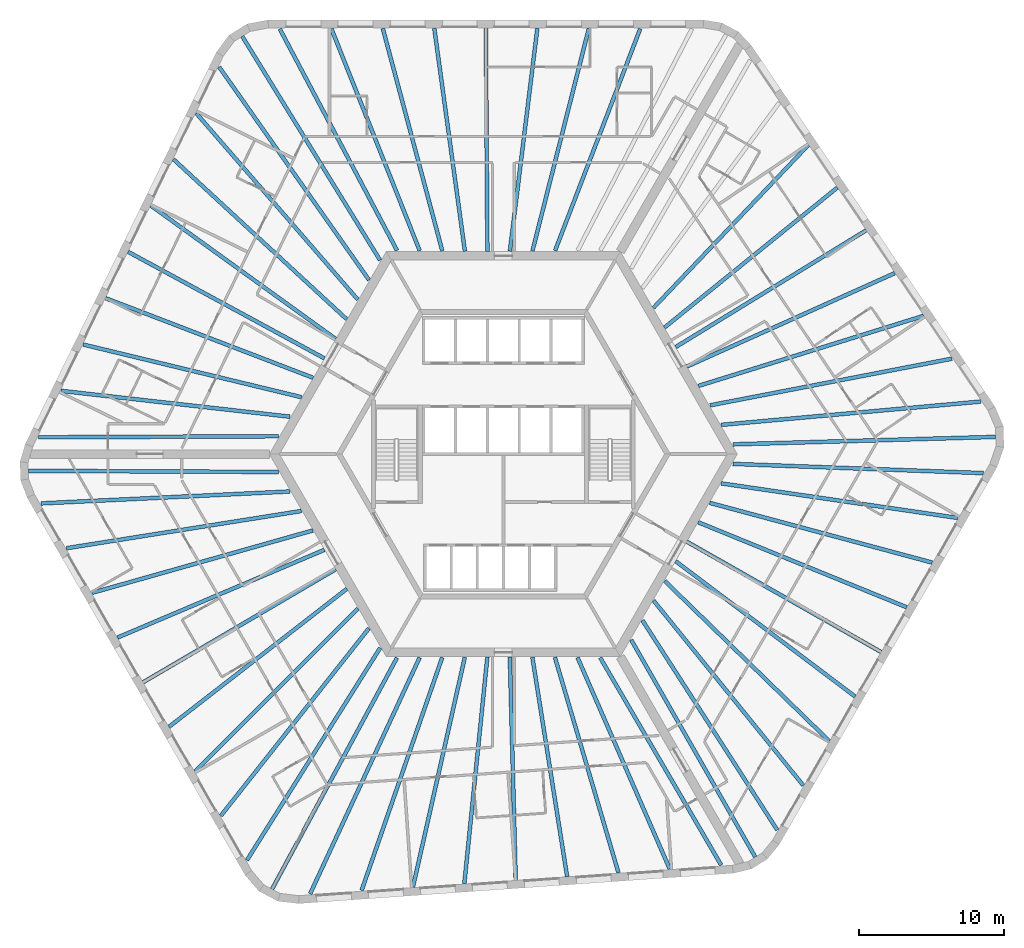
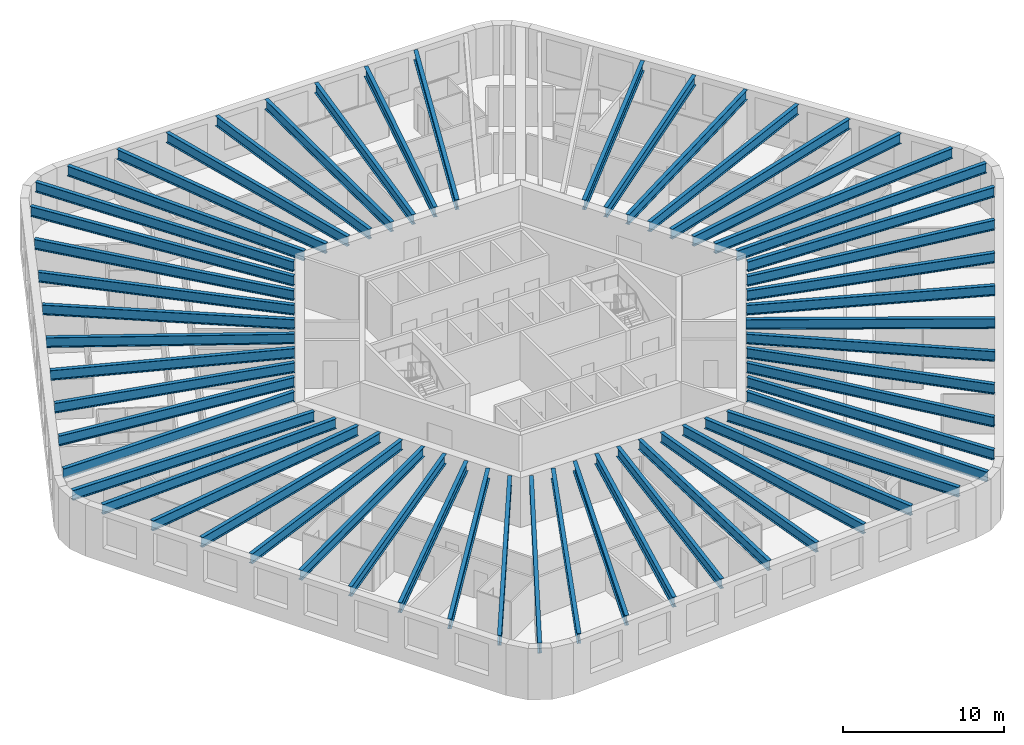
# One storey, part 1 of 12: 56 beams.
"""IFC4 building model written with IfcOpenShell, lengths in metres."""

from ifc_helpers import new_model, si_unit, direction, frame, origin, origin_2d, place, context, subcontext, project, spatial, i_section, extrude, material, material_profile, profile_set, type_object, element, save


model = new_model("IFC4")

# Units and contexts
model_context = context("Model", 3, precision=1e-05, world=origin(), true_north=direction((0.0, 1.0)))
body_context = subcontext(model_context, "Body", "Model", "MODEL_VIEW")
ifc_project = project(units=[si_unit("LENGTHUNIT", "METRE"), si_unit("AREAUNIT", "SQUARE_METRE"), si_unit("VOLUMEUNIT", "CUBIC_METRE"), si_unit("PLANEANGLEUNIT", "RADIAN"), si_unit("MASSUNIT", "GRAM", prefix="KILO")], contexts=[model_context])

# Site, building, storey
site_placement = place(None, origin())
site = spatial("IfcSite", under=ifc_project, at=site_placement, CompositionType="ELEMENT")
building_placement = place(site_placement, origin())
building = spatial("IfcBuilding", under=site, at=building_placement, Name="Tarnside Tower", CompositionType="ELEMENT")
storey_placement = place(building_placement, frame((0.0, 0.0, 72.60009765625)))
storey = spatial("IfcBuildingStorey", under=building, at=storey_placement, Name="L15", CompositionType="ELEMENT", Elevation=72.60009765625)

# Beams
ifc_material = material(Name="Steel S355", Category="steel")
ifc_material_profile_1 = material_profile(ifc_material, i_section(OverallWidth=0.26513671875, OverallDepth=0.75390625, WebThickness=0.0126953125, FlangeThickness=0.017578125, FilletRadius=0.0166015625, at=origin_2d()), Name="UB 762x267x147")
ifc_profile_set_1 = profile_set([ifc_material_profile_1], Name="Steel S355")
beam_type_1 = type_object("IfcBeamType", Name="Floor beam UB 762x267x147", PredefinedType="BEAM", material=ifc_profile_set_1)
beam_1_placement = place(storey_placement, frame((2.3525390625, 29.43017578125, 3.372802734375), z_axis=(-0.122329629165, -0.992489527314, 0.0), x_axis=(0.992489527314, -0.122329629165, 0.0)))
element("IfcBeam", 1, at=beam_1_placement, inside=storey, type_object=beam_type_1, Name="Floor beam F1.04", PredefinedType="BEAM", context=body_context, shape_type="SweptSolid", body=[
    extrude(i_section(OverallWidth=0.26513671875, OverallDepth=0.75390625, WebThickness=0.0126953125, FlangeThickness=0.017578125, FilletRadius=0.0166015625, at=origin_2d()), origin(), (0.0, 0.0, 1.0), 15.527099609375),
])
beam_2_placement = place(storey_placement, frame((-1.208984375, 29.449951171875, 3.372802734375), z_axis=(0.007000128723, -0.999975498799, 0.0), x_axis=(0.999975498799, 0.007000128723, 0.0)))
element("IfcBeam", 2, at=beam_2_placement, inside=storey, type_object=beam_type_1, Name="Floor beam F1.05", PredefinedType="BEAM", context=body_context, shape_type="SweptSolid", body=[
    extrude(i_section(OverallWidth=0.26513671875, OverallDepth=0.75390625, WebThickness=0.0126953125, FlangeThickness=0.017578125, FilletRadius=0.0166015625, at=origin_2d()), origin(), (0.0, 0.0, 1.0), 15.450439453125),
])
beam_3_placement = place(storey_placement, frame((-4.7705078125, 29.43017578125, 3.372802734375), z_axis=(0.136000560933, -0.990708760144, 0.0), x_axis=(0.990708760144, 0.136000560933, 0.0)))
element("IfcBeam", 3, at=beam_3_placement, inside=storey, type_object=beam_type_1, Name="Floor beam F1.06", PredefinedType="BEAM", context=body_context, shape_type="SweptSolid", body=[
    extrude(i_section(OverallWidth=0.26513671875, OverallDepth=0.75390625, WebThickness=0.0126953125, FlangeThickness=0.017578125, FilletRadius=0.0166015625, at=origin_2d()), origin(), (0.0, 0.0, 1.0), 15.554931640625),
])
beam_4_placement = place(storey_placement, frame((-24.348876953125, 17.168212890625, 3.372802734375), z_axis=(0.811027744825, -0.585007689799, 0.0), x_axis=(0.585007689799, 0.811027744825, 0.0)))
element("IfcBeam", 4, at=beam_4_placement, inside=storey, type_object=beam_type_1, Name="Floor beam F2.04", PredefinedType="BEAM", context=body_context, shape_type="SweptSolid", body=[
    extrude(i_section(OverallWidth=0.26513671875, OverallDepth=0.75390625, WebThickness=0.0126953125, FlangeThickness=0.017578125, FilletRadius=0.0166015625, at=origin_2d()), origin(), (0.0, 0.0, 1.0), 15.731689453125),
])
beam_5_placement = place(storey_placement, frame((-25.92626953125, 13.978271484375, 3.372802734375), z_axis=(0.878894567679, -0.477016078245, 0.0), x_axis=(0.477016078245, 0.878894567679, 0.0)))
element("IfcBeam", 5, at=beam_5_placement, inside=storey, type_object=beam_type_1, Name="Floor beam F2.05", PredefinedType="BEAM", context=body_context, shape_type="SweptSolid", body=[
    extrude(i_section(OverallWidth=0.26513671875, OverallDepth=0.75390625, WebThickness=0.0126953125, FlangeThickness=0.017578125, FilletRadius=0.0166015625, at=origin_2d()), origin(), (0.0, 0.0, 1.0), 15.427490234375),
])
beam_6_placement = place(storey_placement, frame((-27.487548828125, 10.77734375, 3.372802734375), z_axis=(0.933617702452, -0.358270827264, 0.0), x_axis=(0.358270827264, 0.933617702452, 0.0)))
element("IfcBeam", 6, at=beam_6_placement, inside=storey, type_object=beam_type_1, Name="Floor beam F2.06", PredefinedType="BEAM", context=body_context, shape_type="SweptSolid", body=[
    extrude(i_section(OverallWidth=0.26513671875, OverallDepth=0.75390625, WebThickness=0.0126953125, FlangeThickness=0.017578125, FilletRadius=0.0166015625, at=origin_2d()), origin(), (0.0, 0.0, 1.0), 15.363037109375),
])
beam_7_placement = place(storey_placement, frame((-29.029296875, 7.572509765625, 3.372802734375), z_axis=(0.972101750991, -0.234559556873, 0.0), x_axis=(0.234559556873, 0.972101750991, 0.0)))
element("IfcBeam", 7, at=beam_7_placement, inside=storey, type_object=beam_type_1, Name="Floor beam F2.07", PredefinedType="BEAM", context=body_context, shape_type="SweptSolid", body=[
    extrude(i_section(OverallWidth=0.26513671875, OverallDepth=0.75390625, WebThickness=0.0126953125, FlangeThickness=0.017578125, FilletRadius=0.0166015625, at=origin_2d()), origin(), (0.0, 0.0, 1.0), 15.522216796875),
])
beam_8_placement = place(storey_placement, frame((-26.66357421875, -12.677734375, 3.372802734375), z_axis=(0.920684021494, 0.390308765679, 0.0), x_axis=(-0.390308765679, 0.920684021494, 0.0)))
element("IfcBeam", 8, at=beam_8_placement, inside=storey, type_object=beam_type_1, Name="Floor beam F3.04", PredefinedType="BEAM", context=body_context, shape_type="SweptSolid", body=[
    extrude(i_section(OverallWidth=0.26513671875, OverallDepth=0.75390625, WebThickness=0.0126953125, FlangeThickness=0.017578125, FilletRadius=0.0166015625, at=origin_2d()), origin(), (0.0, 0.0, 1.0), 15.52685546875),
])
beam_9_placement = place(storey_placement, frame((-24.89990234375, -15.772216796875, 3.372802734375), z_axis=(0.862497502004, 0.506061319443, 0.0), x_axis=(-0.506061319443, 0.862497502004, 0.0)))
element("IfcBeam", 9, at=beam_9_placement, inside=storey, type_object=beam_type_1, Name="Floor beam F3.05", PredefinedType="BEAM", context=body_context, shape_type="SweptSolid", body=[
    extrude(i_section(OverallWidth=0.26513671875, OverallDepth=0.75390625, WebThickness=0.0126953125, FlangeThickness=0.017578125, FilletRadius=0.0166015625, at=origin_2d()), origin(), (0.0, 0.0, 1.0), 15.450439453125),
])
beam_10_placement = place(storey_placement, frame((-23.10205078125, -18.846435546875, 3.372802734375), z_axis=(0.789983963813, 0.613127504617, 0.0), x_axis=(-0.613127504617, 0.789983963813, 0.0)))
element("IfcBeam", 10, at=beam_10_placement, inside=storey, type_object=beam_type_1, Name="Floor beam F3.06", PredefinedType="BEAM", context=body_context, shape_type="SweptSolid", body=[
    extrude(i_section(OverallWidth=0.26513671875, OverallDepth=0.75390625, WebThickness=0.0126953125, FlangeThickness=0.017578125, FilletRadius=0.0166015625, at=origin_2d()), origin(), (0.0, 0.0, 1.0), 15.554931640625),
])
beam_11_placement = place(storey_placement, frame((-2.693603515625, -29.6708984375, 3.372802734375), z_axis=(0.101123115756, 0.994873919379, 0.0), x_axis=(-0.994873919379, 0.101123115756, 0.0)))
element("IfcBeam", 11, at=beam_11_placement, inside=storey, type_object=beam_type_1, Name="Floor beam F4.04", PredefinedType="BEAM", context=body_context, shape_type="SweptSolid", body=[
    extrude(i_section(OverallWidth=0.26513671875, OverallDepth=0.75390625, WebThickness=0.0126953125, FlangeThickness=0.017578125, FilletRadius=0.0166015625, at=origin_2d()), origin(), (0.0, 0.0, 1.0), 15.7314453125),
])
beam_12_placement = place(storey_placement, frame((0.857666015625, -29.44189453125, 3.372802734375), z_axis=(-0.026333316788, 0.999653218085, 0.0), x_axis=(-0.999653218085, -0.026333316788, 0.0)))
element("IfcBeam", 12, at=beam_12_placement, inside=storey, type_object=beam_type_1, Name="Floor beam F4.05", PredefinedType="BEAM", context=body_context, shape_type="SweptSolid", body=[
    extrude(i_section(OverallWidth=0.26513671875, OverallDepth=0.75390625, WebThickness=0.0126953125, FlangeThickness=0.017578125, FilletRadius=0.0166015625, at=origin_2d()), origin(), (0.0, 0.0, 1.0), 15.42724609375),
])
beam_13_placement = place(storey_placement, frame((4.41015625, -29.193603515625, 3.372802734375), z_axis=(-0.156513375907, 0.98767583911, 0.0), x_axis=(-0.98767583911, -0.156513375907, 0.0)))
element("IfcBeam", 13, at=beam_13_placement, inside=storey, type_object=beam_type_1, Name="Floor beam F4.06", PredefinedType="BEAM", context=body_context, shape_type="SweptSolid", body=[
    extrude(i_section(OverallWidth=0.26513671875, OverallDepth=0.75390625, WebThickness=0.0126953125, FlangeThickness=0.017578125, FilletRadius=0.0166015625, at=origin_2d()), origin(), (0.0, 0.0, 1.0), 15.36328125),
])
beam_14_placement = place(storey_placement, frame((7.956787109375, -28.926513671875, 3.372802734375), z_axis=(-0.282920694328, 0.959143305623, 0.0), x_axis=(-0.959143305623, -0.282920694328, 0.0)))
element("IfcBeam", 14, at=beam_14_placement, inside=storey, type_object=beam_type_1, Name="Floor beam F4.07", PredefinedType="BEAM", context=body_context, shape_type="SweptSolid", body=[
    extrude(i_section(OverallWidth=0.26513671875, OverallDepth=0.75390625, WebThickness=0.0126953125, FlangeThickness=0.017578125, FilletRadius=0.0166015625, at=origin_2d()), origin(), (0.0, 0.0, 1.0), 15.5224609375),
])
beam_15_placement = place(storey_placement, frame((24.31103515625, -16.75244140625, 3.372802734375), z_axis=(-0.798361152727, 0.602178935049, 0.0), x_axis=(-0.602178935049, -0.798361152727, 0.0)))
element("IfcBeam", 15, at=beam_15_placement, inside=storey, type_object=beam_type_1, Name="Floor beam F5.04", PredefinedType="BEAM", context=body_context, shape_type="SweptSolid", body=[
    extrude(i_section(OverallWidth=0.26513671875, OverallDepth=0.75390625, WebThickness=0.0126953125, FlangeThickness=0.017578125, FilletRadius=0.0166015625, at=origin_2d()), origin(), (0.0, 0.0, 1.0), 15.527099609375),
])
beam_16_placement = place(storey_placement, frame((26.10888671875, -13.677978515625, 3.372802734375), z_axis=(-0.869502520992, 0.493928502911, 0.0), x_axis=(-0.493928502911, -0.869502520992, 0.0)))
element("IfcBeam", 16, at=beam_16_placement, inside=storey, type_object=beam_type_1, Name="Floor beam F5.05", PredefinedType="BEAM", context=body_context, shape_type="SweptSolid", body=[
    extrude(i_section(OverallWidth=0.26513671875, OverallDepth=0.75390625, WebThickness=0.0126953125, FlangeThickness=0.017578125, FilletRadius=0.0166015625, at=origin_2d()), origin(), (0.0, 0.0, 1.0), 15.4501953125),
])
beam_17_placement = place(storey_placement, frame((27.87255859375, -10.58349609375, 3.372802734375), z_axis=(-0.925981621163, 0.377568586177, 0.0), x_axis=(-0.377568586177, -0.925981621163, 0.0)))
element("IfcBeam", 17, at=beam_17_placement, inside=storey, type_object=beam_type_1, Name="Floor beam F5.06", PredefinedType="BEAM", context=body_context, shape_type="SweptSolid", body=[
    extrude(i_section(OverallWidth=0.26513671875, OverallDepth=0.75390625, WebThickness=0.0126953125, FlangeThickness=0.017578125, FilletRadius=0.0166015625, at=origin_2d()), origin(), (0.0, 0.0, 1.0), 15.554931640625),
])
beam_18_placement = place(storey_placement, frame((27.04248046875, 12.502685546875, 3.372802734375), z_axis=(-0.912146413919, -0.409864513681, 0.0), x_axis=(0.409864513681, -0.912146413919, 0.0)))
element("IfcBeam", 18, at=beam_18_placement, inside=storey, type_object=beam_type_1, Name="Floor beam F6.04", PredefinedType="BEAM", context=body_context, shape_type="SweptSolid", body=[
    extrude(i_section(OverallWidth=0.26513671875, OverallDepth=0.75390625, WebThickness=0.0126953125, FlangeThickness=0.017578125, FilletRadius=0.0166015625, at=origin_2d()), origin(), (0.0, 0.0, 1.0), 15.7314453125),
])
beam_19_placement = place(storey_placement, frame((25.068603515625, 15.463623046875, 3.372802734375), z_axis=(-0.852558490017, -0.522631821744, 0.0), x_axis=(0.522631821744, -0.852558490017, 0.0)))
element("IfcBeam", 19, at=beam_19_placement, inside=storey, type_object=beam_type_1, Name="Floor beam F6.05", PredefinedType="BEAM", context=body_context, shape_type="SweptSolid", body=[
    extrude(i_section(OverallWidth=0.26513671875, OverallDepth=0.75390625, WebThickness=0.0126953125, FlangeThickness=0.017578125, FilletRadius=0.0166015625, at=origin_2d()), origin(), (0.0, 0.0, 1.0), 15.42724609375),
])
beam_20_placement = place(storey_placement, frame((23.0771484375, 18.416259765625, 3.372802734375), z_axis=(-0.777079423039, -0.629402550272, 0.0), x_axis=(0.629402550272, -0.777079423039, 0.0)))
element("IfcBeam", 20, at=beam_20_placement, inside=storey, type_object=beam_type_1, Name="Floor beam F6.06", PredefinedType="BEAM", context=body_context, shape_type="SweptSolid", body=[
    extrude(i_section(OverallWidth=0.26513671875, OverallDepth=0.75390625, WebThickness=0.0126953125, FlangeThickness=0.017578125, FilletRadius=0.0166015625, at=origin_2d()), origin(), (0.0, 0.0, 1.0), 15.36328125),
])
beam_21_placement = place(storey_placement, frame((21.072509765625, 21.35400390625, 3.372802734375), z_axis=(-0.689174694318, -0.724595225427, 0.0), x_axis=(0.724595225427, -0.689174694318, 0.0)))
element("IfcBeam", 21, at=beam_21_placement, inside=storey, type_object=beam_type_1, Name="Floor beam F6.07", PredefinedType="BEAM", context=body_context, shape_type="SweptSolid", body=[
    extrude(i_section(OverallWidth=0.26513671875, OverallDepth=0.75390625, WebThickness=0.0126953125, FlangeThickness=0.017578125, FilletRadius=0.0166015625, at=origin_2d()), origin(), (0.0, 0.0, 1.0), 15.522216796875),
])
ifc_material_profile_2 = material_profile(ifc_material, i_section(OverallWidth=0.2666015625, OverallDepth=0.76220703125, WebThickness=0.014404296875, FlangeThickness=0.021484375, FilletRadius=0.0166015625, at=origin_2d()), Name="UB 762x267x173")
ifc_profile_set_2 = profile_set([ifc_material_profile_2], Name="Steel S355")
beam_type_2 = type_object("IfcBeamType", Name="Floor beam UB 762x267x173", PredefinedType="BEAM", material=ifc_profile_set_2)
beam_22_placement = place(storey_placement, frame((9.4619140625, 29.39404296875, 3.368896484375), z_axis=(-0.358299847269, -0.933606565662, 0.0), x_axis=(0.933606565662, -0.358299847269, 0.0)))
element("IfcBeam", 22, at=beam_22_placement, inside=storey, type_object=beam_type_2, Name="Floor beam F1.02", PredefinedType="BEAM", context=body_context, shape_type="SweptSolid", body=[
    extrude(i_section(OverallWidth=0.2666015625, OverallDepth=0.76220703125, WebThickness=0.014404296875, FlangeThickness=0.021484375, FilletRadius=0.0166015625, at=origin_2d()), origin(), (0.0, 0.0, 1.0), 16.428955078125),
])
beam_23_placement = place(storey_placement, frame((5.909423828125, 29.4111328125, 3.368896484375), z_axis=(-0.245747281389, -0.969333933013, 0.0), x_axis=(0.969333933013, -0.245747281389, 0.0)))
element("IfcBeam", 23, at=beam_23_placement, inside=storey, type_object=beam_type_2, Name="Floor beam F1.03", PredefinedType="BEAM", context=body_context, shape_type="SweptSolid", body=[
    extrude(i_section(OverallWidth=0.2666015625, OverallDepth=0.76220703125, WebThickness=0.014404296875, FlangeThickness=0.021484375, FilletRadius=0.0166015625, at=origin_2d()), origin(), (0.0, 0.0, 1.0), 15.858642578125),
])
beam_24_placement = place(storey_placement, frame((-8.3271484375, 29.411376953125, 3.368896484375), z_axis=(0.258447478572, -0.966025310652, 0.0), x_axis=(0.966025310652, 0.258447478572, 0.0)))
element("IfcBeam", 24, at=beam_24_placement, inside=storey, type_object=beam_type_2, Name="Floor beam F1.07", PredefinedType="BEAM", context=body_context, shape_type="SweptSolid", body=[
    extrude(i_section(OverallWidth=0.2666015625, OverallDepth=0.76220703125, WebThickness=0.014404296875, FlangeThickness=0.021484375, FilletRadius=0.0166015625, at=origin_2d()), origin(), (0.0, 0.0, 1.0), 15.91357421875),
])
beam_25_placement = place(storey_placement, frame((-11.87939453125, 29.394287109375, 3.368896484375), z_axis=(0.369638204477, -0.929175762593, 0.0), x_axis=(0.929175762593, 0.369638204477, 0.0)))
element("IfcBeam", 25, at=beam_25_placement, inside=storey, type_object=beam_type_2, Name="Floor beam F1.08", PredefinedType="BEAM", context=body_context, shape_type="SweptSolid", body=[
    extrude(i_section(OverallWidth=0.2666015625, OverallDepth=0.76220703125, WebThickness=0.014404296875, FlangeThickness=0.021484375, FilletRadius=0.0166015625, at=origin_2d()), origin(), (0.0, 0.0, 1.0), 16.507568359375),
])
beam_26_placement = place(storey_placement, frame((-15.44580078125, 29.37939453125, 3.368896484375), z_axis=(0.467741993634, -0.883865050441, 0.0), x_axis=(0.883865050441, 0.467741993634, 0.0)))
element("IfcBeam", 26, at=beam_26_placement, inside=storey, type_object=beam_type_2, Name="Floor beam F1.09", PredefinedType="BEAM", context=body_context, shape_type="SweptSolid", body=[
    extrude(i_section(OverallWidth=0.2666015625, OverallDepth=0.76220703125, WebThickness=0.014404296875, FlangeThickness=0.021484375, FilletRadius=0.0166015625, at=origin_2d()), origin(), (0.0, 0.0, 1.0), 17.320068359375),
])
beam_27_placement = place(storey_placement, frame((-18.042236328125, 28.8701171875, 3.368896484375), z_axis=(0.524382977035, -0.851482526771, 0.0), x_axis=(0.851482526771, 0.524382977035, 0.0)))
element("IfcBeam", 27, at=beam_27_placement, inside=storey, type_object=beam_type_2, Name="Floor beam C1", PredefinedType="BEAM", context=body_context, shape_type="SweptSolid", body=[
    extrude(i_section(OverallWidth=0.2666015625, OverallDepth=0.76220703125, WebThickness=0.014404296875, FlangeThickness=0.021484375, FilletRadius=0.0166015625, at=origin_2d()), origin(), (0.0, 0.0, 1.0), 18.1728515625),
])
beam_28_placement = place(storey_placement, frame((-19.638671875, 26.75537109375, 3.368896484375), z_axis=(0.575411427849, -0.817864101609, 0.0), x_axis=(0.817864101609, 0.575411427849, 0.0)))
element("IfcBeam", 28, at=beam_28_placement, inside=storey, type_object=beam_type_2, Name="Floor beam F2.01", PredefinedType="BEAM", context=body_context, shape_type="SweptSolid", body=[
    extrude(i_section(OverallWidth=0.2666015625, OverallDepth=0.76220703125, WebThickness=0.014404296875, FlangeThickness=0.021484375, FilletRadius=0.0166015625, at=origin_2d()), origin(), (0.0, 0.0, 1.0), 18.00048828125),
])
beam_29_placement = place(storey_placement, frame((-21.21630859375, 23.554931640625, 3.368896484375), z_axis=(0.654980748073, -0.755645564834, 0.0), x_axis=(0.755645564834, 0.654980748073, 0.0)))
element("IfcBeam", 29, at=beam_29_placement, inside=storey, type_object=beam_type_2, Name="Floor beam F2.02", PredefinedType="BEAM", context=body_context, shape_type="SweptSolid", body=[
    extrude(i_section(OverallWidth=0.2666015625, OverallDepth=0.76220703125, WebThickness=0.014404296875, FlangeThickness=0.021484375, FilletRadius=0.0166015625, at=origin_2d()), origin(), (0.0, 0.0, 1.0), 17.0302734375),
])
beam_30_placement = place(storey_placement, frame((-22.7890625, 20.368408203125, 3.368896484375), z_axis=(0.734715474517, -0.678375391288, 0.0), x_axis=(0.678375391288, 0.734715474517, 0.0)))
element("IfcBeam", 30, at=beam_30_placement, inside=storey, type_object=beam_type_2, Name="Floor beam F2.03", PredefinedType="BEAM", context=body_context, shape_type="SweptSolid", body=[
    extrude(i_section(OverallWidth=0.2666015625, OverallDepth=0.76220703125, WebThickness=0.014404296875, FlangeThickness=0.021484375, FilletRadius=0.0166015625, at=origin_2d()), origin(), (0.0, 0.0, 1.0), 16.2802734375),
])
beam_31_placement = place(storey_placement, frame((-30.570556640625, 4.372802734375, 3.368896484375), z_axis=(0.993687302776, -0.112185312326, 0.0), x_axis=(0.112185312326, 0.993687302776, 0.0)))
element("IfcBeam", 31, at=beam_31_placement, inside=storey, type_object=beam_type_2, Name="Floor beam F2.08", PredefinedType="BEAM", context=body_context, shape_type="SweptSolid", body=[
    extrude(i_section(OverallWidth=0.2666015625, OverallDepth=0.76220703125, WebThickness=0.014404296875, FlangeThickness=0.021484375, FilletRadius=0.0166015625, at=origin_2d()), origin(), (0.0, 0.0, 1.0), 15.934326171875),
])
beam_32_placement = place(storey_placement, frame((-32.119384765625, 1.162109375, 3.368896484375), z_axis=(0.999990508787, 0.004356872304, 0.0), x_axis=(-0.004356872304, 0.999990508787, 0.0)))
element("IfcBeam", 32, at=beam_32_placement, inside=storey, type_object=beam_type_2, Name="Floor beam F2.09", PredefinedType="BEAM", context=body_context, shape_type="SweptSolid", body=[
    extrude(i_section(OverallWidth=0.2666015625, OverallDepth=0.76220703125, WebThickness=0.014404296875, FlangeThickness=0.021484375, FilletRadius=0.0166015625, at=origin_2d()), origin(), (0.0, 0.0, 1.0), 16.586669921875),
])
beam_33_placement = place(storey_placement, frame((-32.80712890625, -1.1572265625, 3.368896484375), z_axis=(0.999990027056, -0.004466070929, 0.0), x_axis=(0.004466070929, 0.999990027056, 0.0)))
element("IfcBeam", 33, at=beam_33_placement, inside=storey, type_object=beam_type_2, Name="Floor beam C2", PredefinedType="BEAM", context=body_context, shape_type="SweptSolid", body=[
    extrude(i_section(OverallWidth=0.2666015625, OverallDepth=0.76220703125, WebThickness=0.014404296875, FlangeThickness=0.021484375, FilletRadius=0.0166015625, at=origin_2d()), origin(), (0.0, 0.0, 1.0), 17.2744140625),
])
beam_34_placement = place(storey_placement, frame((-31.95703125, -3.406494140625, 3.368896484375), z_axis=(0.998853818522, 0.047864905982, 0.0), x_axis=(-0.047864905982, 0.998853818522, 0.0)))
element("IfcBeam", 34, at=beam_34_placement, inside=storey, type_object=beam_type_2, Name="Floor beam F3.01", PredefinedType="BEAM", context=body_context, shape_type="SweptSolid", body=[
    extrude(i_section(OverallWidth=0.2666015625, OverallDepth=0.76220703125, WebThickness=0.014404296875, FlangeThickness=0.021484375, FilletRadius=0.0166015625, at=origin_2d()), origin(), (0.0, 0.0, 1.0), 17.2197265625),
])
beam_35_placement = place(storey_placement, frame((-30.18701171875, -6.502685546875, 3.368896484375), z_axis=(0.987678477078, 0.156496728136, 0.0), x_axis=(-0.156496728136, 0.987678477078, 0.0)))
element("IfcBeam", 35, at=beam_35_placement, inside=storey, type_object=beam_type_2, Name="Floor beam F3.02", PredefinedType="BEAM", context=body_context, shape_type="SweptSolid", body=[
    extrude(i_section(OverallWidth=0.2666015625, OverallDepth=0.76220703125, WebThickness=0.014404296875, FlangeThickness=0.021484375, FilletRadius=0.0166015625, at=origin_2d()), origin(), (0.0, 0.0, 1.0), 16.4287109375),
])
beam_36_placement = place(storey_placement, frame((-28.425537109375, -9.587890625, 3.368896484375), z_axis=(0.962342240503, 0.271840784547, 0.0), x_axis=(-0.271840784547, 0.962342240503, 0.0)))
element("IfcBeam", 36, at=beam_36_placement, inside=storey, type_object=beam_type_2, Name="Floor beam F3.03", PredefinedType="BEAM", context=body_context, shape_type="SweptSolid", body=[
    extrude(i_section(OverallWidth=0.2666015625, OverallDepth=0.76220703125, WebThickness=0.014404296875, FlangeThickness=0.021484375, FilletRadius=0.0166015625, at=origin_2d()), origin(), (0.0, 0.0, 1.0), 15.858642578125),
])
beam_37_placement = place(storey_placement, frame((-21.307373046875, -21.917236328125, 3.368896484375), z_axis=(0.707367544857, 0.706845921318, 0.0), x_axis=(-0.706845921318, 0.707367544857, 0.0)))
element("IfcBeam", 37, at=beam_37_placement, inside=storey, type_object=beam_type_2, Name="Floor beam F3.07", PredefinedType="BEAM", context=body_context, shape_type="SweptSolid", body=[
    extrude(i_section(OverallWidth=0.2666015625, OverallDepth=0.76220703125, WebThickness=0.014404296875, FlangeThickness=0.021484375, FilletRadius=0.0166015625, at=origin_2d()), origin(), (0.0, 0.0, 1.0), 15.913330078125),
])
beam_38_placement = place(storey_placement, frame((-19.516357421875, -24.985107421875, 3.368896484375), z_axis=(0.619872995007, 0.784702153725, 0.0), x_axis=(-0.784702153725, 0.619872995007, 0.0)))
element("IfcBeam", 38, at=beam_38_placement, inside=storey, type_object=beam_type_2, Name="Floor beam F3.08", PredefinedType="BEAM", context=body_context, shape_type="SweptSolid", body=[
    extrude(i_section(OverallWidth=0.2666015625, OverallDepth=0.76220703125, WebThickness=0.014404296875, FlangeThickness=0.021484375, FilletRadius=0.0166015625, at=origin_2d()), origin(), (0.0, 0.0, 1.0), 16.507568359375),
])
beam_39_placement = place(storey_placement, frame((-17.72021484375, -28.066162109375, 3.368896484375), z_axis=(0.531583085704, 0.847006152866, 0.0), x_axis=(-0.847006152866, 0.531583085704, 0.0)))
element("IfcBeam", 39, at=beam_39_placement, inside=storey, type_object=beam_type_2, Name="Floor beam F3.09", PredefinedType="BEAM", context=body_context, shape_type="SweptSolid", body=[
    extrude(i_section(OverallWidth=0.2666015625, OverallDepth=0.76220703125, WebThickness=0.014404296875, FlangeThickness=0.021484375, FilletRadius=0.0166015625, at=origin_2d()), origin(), (0.0, 0.0, 1.0), 17.320068359375),
])
beam_40_placement = place(storey_placement, frame((-15.981201171875, -30.060302734375, 3.368896484375), z_axis=(0.475208200571, 0.879873380726, 0.0), x_axis=(-0.879873380726, 0.475208200571, 0.0)))
element("IfcBeam", 40, at=beam_40_placement, inside=storey, type_object=beam_type_2, Name="Floor beam C3", PredefinedType="BEAM", context=body_context, shape_type="SweptSolid", body=[
    extrude(i_section(OverallWidth=0.2666015625, OverallDepth=0.76220703125, WebThickness=0.014404296875, FlangeThickness=0.021484375, FilletRadius=0.0166015625, at=origin_2d()), origin(), (0.0, 0.0, 1.0), 18.173095703125),
])
beam_41_placement = place(storey_placement, frame((-13.3515625, -30.38525390625, 3.368896484375), z_axis=(0.42059199668, 0.907249895193, 0.0), x_axis=(-0.907249895193, 0.42059199668, 0.0)))
element("IfcBeam", 41, at=beam_41_placement, inside=storey, type_object=beam_type_2, Name="Floor beam F4.01", PredefinedType="BEAM", context=body_context, shape_type="SweptSolid", body=[
    extrude(i_section(OverallWidth=0.2666015625, OverallDepth=0.76220703125, WebThickness=0.014404296875, FlangeThickness=0.021484375, FilletRadius=0.0166015625, at=origin_2d()), origin(), (0.0, 0.0, 1.0), 18.000244140625),
])
beam_42_placement = place(storey_placement, frame((-9.791015625, -30.151123046875, 3.368896484375), z_axis=(0.326912128872, 0.945054739153, 0.0), x_axis=(-0.945054739153, 0.326912128872, 0.0)))
element("IfcBeam", 42, at=beam_42_placement, inside=storey, type_object=beam_type_2, Name="Floor beam F4.02", PredefinedType="BEAM", context=body_context, shape_type="SweptSolid", body=[
    extrude(i_section(OverallWidth=0.2666015625, OverallDepth=0.76220703125, WebThickness=0.014404296875, FlangeThickness=0.021484375, FilletRadius=0.0166015625, at=origin_2d()), origin(), (0.0, 0.0, 1.0), 17.0302734375),
])
beam_43_placement = place(storey_placement, frame((-6.2451171875, -29.920166015625, 3.368896484375), z_axis=(0.220139818673, 0.975468328668, 0.0), x_axis=(-0.975468328668, 0.220139818673, 0.0)))
element("IfcBeam", 43, at=beam_43_placement, inside=storey, type_object=beam_type_2, Name="Floor beam F4.03", PredefinedType="BEAM", context=body_context, shape_type="SweptSolid", body=[
    extrude(i_section(OverallWidth=0.2666015625, OverallDepth=0.76220703125, WebThickness=0.014404296875, FlangeThickness=0.021484375, FilletRadius=0.0166015625, at=origin_2d()), origin(), (0.0, 0.0, 1.0), 16.280517578125),
])
beam_44_placement = place(storey_placement, frame((11.498291015625, -28.6611328125, 3.368896484375), z_axis=(-0.399695682658, 0.916647893831, 0.0), x_axis=(-0.916647893831, -0.399695682658, 0.0)))
element("IfcBeam", 44, at=beam_44_placement, inside=storey, type_object=beam_type_2, Name="Floor beam F4.08", PredefinedType="BEAM", context=body_context, shape_type="SweptSolid", body=[
    extrude(i_section(OverallWidth=0.2666015625, OverallDepth=0.76220703125, WebThickness=0.014404296875, FlangeThickness=0.021484375, FilletRadius=0.0166015625, at=origin_2d()), origin(), (0.0, 0.0, 1.0), 15.934326171875),
])
beam_45_placement = place(storey_placement, frame((15.05322265625, -28.3974609375, 3.368896484375), z_axis=(-0.503758455062, 0.86384455717, 0.0), x_axis=(-0.86384455717, -0.503758455062, 0.0)))
element("IfcBeam", 45, at=beam_45_placement, inside=storey, type_object=beam_type_2, Name="Floor beam F4.09", PredefinedType="BEAM", context=body_context, shape_type="SweptSolid", body=[
    extrude(i_section(OverallWidth=0.2666015625, OverallDepth=0.76220703125, WebThickness=0.014404296875, FlangeThickness=0.021484375, FilletRadius=0.0166015625, at=origin_2d()), origin(), (0.0, 0.0, 1.0), 16.586669921875),
])
beam_46_placement = place(storey_placement, frame((17.40576171875, -27.833251953125, 3.368896484375), z_axis=(-0.496126762138, 0.868250099851, 0.0), x_axis=(-0.868250099851, -0.496126762138, 0.0)))
element("IfcBeam", 46, at=beam_46_placement, inside=storey, type_object=beam_type_2, Name="Floor beam C4", PredefinedType="BEAM", context=body_context, shape_type="SweptSolid", body=[
    extrude(i_section(OverallWidth=0.2666015625, OverallDepth=0.76220703125, WebThickness=0.014404296875, FlangeThickness=0.021484375, FilletRadius=0.0166015625, at=origin_2d()), origin(), (0.0, 0.0, 1.0), 17.2744140625),
])
beam_47_placement = place(storey_placement, frame((18.9287109375, -25.972412109375, 3.368896484375), z_axis=(-0.540872954463, 0.841104302171, 0.0), x_axis=(-0.841104302171, -0.540872954463, 0.0)))
element("IfcBeam", 47, at=beam_47_placement, inside=storey, type_object=beam_type_2, Name="Floor beam F5.01", PredefinedType="BEAM", context=body_context, shape_type="SweptSolid", body=[
    extrude(i_section(OverallWidth=0.2666015625, OverallDepth=0.76220703125, WebThickness=0.014404296875, FlangeThickness=0.021484375, FilletRadius=0.0166015625, at=origin_2d()), origin(), (0.0, 0.0, 1.0), 17.2197265625),
])
beam_48_placement = place(storey_placement, frame((20.72509765625, -22.89111328125, 3.368896484375), z_axis=(-0.62939015525, 0.777089462336, 0.0), x_axis=(-0.777089462336, -0.62939015525, 0.0)))
element("IfcBeam", 48, at=beam_48_placement, inside=storey, type_object=beam_type_2, Name="Floor beam F5.02", PredefinedType="BEAM", context=body_context, shape_type="SweptSolid", body=[
    extrude(i_section(OverallWidth=0.2666015625, OverallDepth=0.76220703125, WebThickness=0.014404296875, FlangeThickness=0.021484375, FilletRadius=0.0166015625, at=origin_2d()), origin(), (0.0, 0.0, 1.0), 16.4287109375),
])
beam_49_placement = place(storey_placement, frame((22.51611328125, -19.8232421875, 3.368896484375), z_axis=(-0.716594696052, 0.697489814686, 0.0), x_axis=(-0.697489814686, -0.716594696052, 0.0)))
element("IfcBeam", 49, at=beam_49_placement, inside=storey, type_object=beam_type_2, Name="Floor beam F5.03", PredefinedType="BEAM", context=body_context, shape_type="SweptSolid", body=[
    extrude(i_section(OverallWidth=0.2666015625, OverallDepth=0.76220703125, WebThickness=0.014404296875, FlangeThickness=0.021484375, FilletRadius=0.0166015625, at=origin_2d()), origin(), (0.0, 0.0, 1.0), 15.858642578125),
])
beam_50_placement = place(storey_placement, frame((29.634521484375, -7.494140625, 3.368896484375), z_axis=(-0.965827851395, 0.259184415946, 0.0), x_axis=(-0.259184415946, -0.965827851395, 0.0)))
element("IfcBeam", 50, at=beam_50_placement, inside=storey, type_object=beam_type_2, Name="Floor beam F5.07", PredefinedType="BEAM", context=body_context, shape_type="SweptSolid", body=[
    extrude(i_section(OverallWidth=0.2666015625, OverallDepth=0.76220703125, WebThickness=0.014404296875, FlangeThickness=0.021484375, FilletRadius=0.0166015625, at=origin_2d()), origin(), (0.0, 0.0, 1.0), 15.913330078125),
])
beam_51_placement = place(storey_placement, frame((31.39599609375, -4.4091796875, 3.368896484375), z_axis=(-0.989507887412, 0.144478859177, 0.0), x_axis=(-0.144478859177, -0.989507887412, 0.0)))
element("IfcBeam", 51, at=beam_51_placement, inside=storey, type_object=beam_type_2, Name="Floor beam F5.08", PredefinedType="BEAM", context=body_context, shape_type="SweptSolid", body=[
    extrude(i_section(OverallWidth=0.2666015625, OverallDepth=0.76220703125, WebThickness=0.014404296875, FlangeThickness=0.021484375, FilletRadius=0.0166015625, at=origin_2d()), origin(), (0.0, 0.0, 1.0), 16.507568359375),
])
beam_52_placement = place(storey_placement, frame((33.166259765625, -1.31298828125, 3.368896484375), z_axis=(-0.999320941149, 0.036846391708, 0.0), x_axis=(-0.036846391708, -0.999320941149, 0.0)))
element("IfcBeam", 52, at=beam_52_placement, inside=storey, type_object=beam_type_2, Name="Floor beam F5.09", PredefinedType="BEAM", context=body_context, shape_type="SweptSolid", body=[
    extrude(i_section(OverallWidth=0.2666015625, OverallDepth=0.76220703125, WebThickness=0.014404296875, FlangeThickness=0.021484375, FilletRadius=0.0166015625, at=origin_2d()), origin(), (0.0, 0.0, 1.0), 17.320068359375),
])
beam_53_placement = place(storey_placement, frame((34.0234375, 1.18994140625, 3.368896484375), z_axis=(-0.999597013499, -0.028386803343, 0.0), x_axis=(0.028386803343, -0.999597013499, 0.0)))
element("IfcBeam", 53, at=beam_53_placement, inside=storey, type_object=beam_type_2, Name="Floor beam C5", PredefinedType="BEAM", context=body_context, shape_type="SweptSolid", body=[
    extrude(i_section(OverallWidth=0.2666015625, OverallDepth=0.76220703125, WebThickness=0.014404296875, FlangeThickness=0.021484375, FilletRadius=0.0166015625, at=origin_2d()), origin(), (0.0, 0.0, 1.0), 18.1728515625),
])
beam_54_placement = place(storey_placement, frame((32.990234375, 3.6298828125, 3.368896484375), z_axis=(-0.995997485142, -0.089381259731, 0.0), x_axis=(0.089381259731, -0.995997485142, 0.0)))
element("IfcBeam", 54, at=beam_54_placement, inside=storey, type_object=beam_type_2, Name="Floor beam F6.01", PredefinedType="BEAM", context=body_context, shape_type="SweptSolid", body=[
    extrude(i_section(OverallWidth=0.2666015625, OverallDepth=0.76220703125, WebThickness=0.014404296875, FlangeThickness=0.021484375, FilletRadius=0.0166015625, at=origin_2d()), origin(), (0.0, 0.0, 1.0), 18.000244140625),
])
beam_55_placement = place(storey_placement, frame((31.007080078125, 6.596435546875, 3.368896484375), z_axis=(-0.981896564922, -0.189417886679, 0.0), x_axis=(0.189417886679, -0.981896564922, 0.0)))
element("IfcBeam", 55, at=beam_55_placement, inside=storey, type_object=beam_type_2, Name="Floor beam F6.02", PredefinedType="BEAM", context=body_context, shape_type="SweptSolid", body=[
    extrude(i_section(OverallWidth=0.2666015625, OverallDepth=0.76220703125, WebThickness=0.014404296875, FlangeThickness=0.021484375, FilletRadius=0.0166015625, at=origin_2d()), origin(), (0.0, 0.0, 1.0), 17.0302734375),
])
beam_56_placement = place(storey_placement, frame((29.0341796875, 9.5517578125, 3.368896484375), z_axis=(-0.954846945108, -0.297098151152, 0.0), x_axis=(0.297098151152, -0.954846945108, 0.0)))
element("IfcBeam", 56, at=beam_56_placement, inside=storey, type_object=beam_type_2, Name="Floor beam F6.03", PredefinedType="BEAM", context=body_context, shape_type="SweptSolid", body=[
    extrude(i_section(OverallWidth=0.2666015625, OverallDepth=0.76220703125, WebThickness=0.014404296875, FlangeThickness=0.021484375, FilletRadius=0.0166015625, at=origin_2d()), origin(), (0.0, 0.0, 1.0), 16.280517578125),
])

save(model, "model.ifc")
